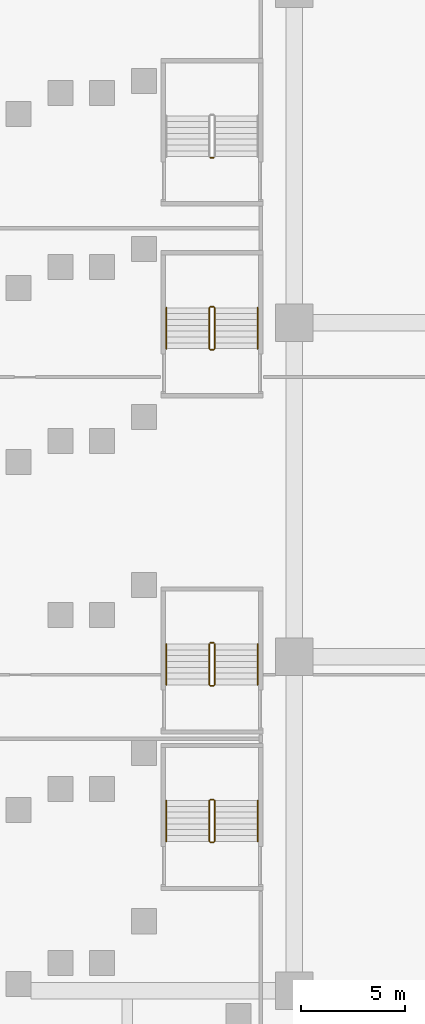
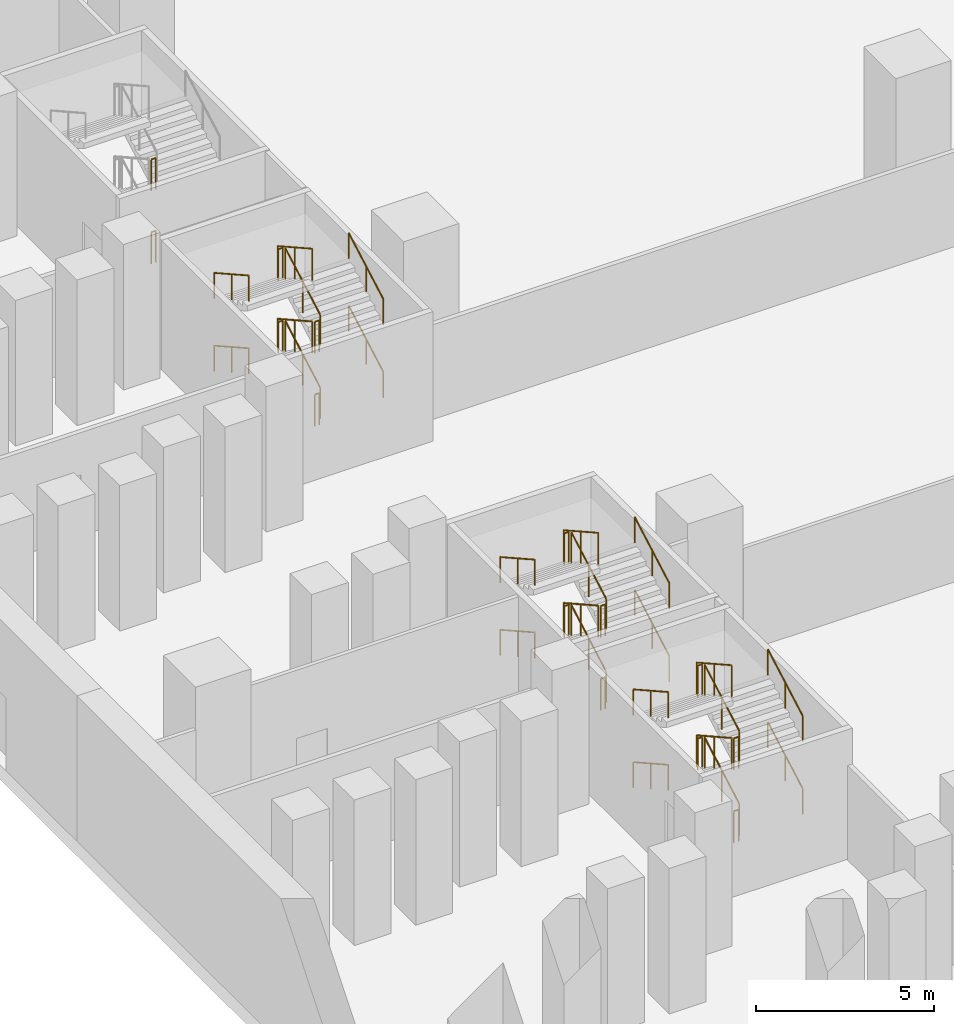
# One storey, part 18 of 24: 38 railings.
"""IFC4 building model written with IfcOpenShell, lengths in metres."""

from ifc_helpers import new_model, si_unit, direction, frame, origin, origin_2d, place, context, subcontext, project, spatial, circle, extrude, material, type_object, element, save


model = new_model("IFC4")

# Units and contexts
model_context = context("Model", 3, precision=1e-05, world=origin(), true_north=direction((0.0, 1.0)))
body_context = subcontext(model_context, "Body", "Model", "MODEL_VIEW")
ifc_project = project(units=[si_unit("LENGTHUNIT", "METRE"), si_unit("AREAUNIT", "SQUARE_METRE"), si_unit("VOLUMEUNIT", "CUBIC_METRE"), si_unit("PLANEANGLEUNIT", "RADIAN"), si_unit("MASSUNIT", "GRAM", prefix="KILO")], contexts=[model_context])

# Site, building, storey
site_placement = place(None, origin())
site = spatial("IfcSite", under=ifc_project, at=site_placement, CompositionType="ELEMENT")
building_placement = place(site_placement, origin())
building = spatial("IfcBuilding", under=site, at=building_placement, Name="Calabash Gate Tower", CompositionType="ELEMENT")
storey_placement = place(building_placement, frame((0.0, 0.0, -5.0)))
storey = spatial("IfcBuildingStorey", under=building, at=storey_placement, Name="B1", CompositionType="ELEMENT", Elevation=-5.0)

# Railings
ifc_material_1 = material(Name="Black powder-coated steel balusters", Category="steel")
railing_type_1 = type_object("IfcRailingType", Name="Stair guard RL1100", PredefinedType="GUARDRAIL", material=ifc_material_1)
railing_1_placement = place(storey_placement, frame((-35.81005859375, -32.840087890625, 0.15625)))
element("IfcRailing", 1, at=railing_1_placement, inside=storey, type_object=railing_type_1, Name="B1 PS1 stair guard 1", PredefinedType="GUARDRAIL", context=body_context, shape_type="SweptSolid", body=[
    extrude(circle(Radius=0.02392578125, at=origin_2d()), frame((0.0, 0.0, 1.076171875), z_axis=(0.0, 0.87250601595, 0.488603368932), x_axis=(-1.0, 0.0, 0.0)), (0.0, 0.0, 1.0), 2.238525390625),
    extrude(circle(Radius=0.02099609375, at=origin_2d()), origin(), (0.0, 0.0, 1.0), 1.052001953125),
    extrude(circle(Radius=0.02099609375, at=origin_2d()), frame((0.0, 0.9765625, 0.546875)), (0.0, 0.0, 1.0), 1.052001953125),
    extrude(circle(Radius=0.02099609375, at=origin_2d()), frame((0.0, 1.953125, 1.09375)), (0.0, 0.0, 1.0), 1.052001953125),
])
railing_2_placement = place(storey_placement, frame((-35.860107421875, -30.8369140625, 1.25)))
element("IfcRailing", 2, at=railing_2_placement, inside=storey, type_object=railing_type_1, Name="B1 PS1 stair guard 2", PredefinedType="GUARDRAIL", context=body_context, shape_type="SweptSolid", body=[
    extrude(circle(Radius=0.02392578125, at=origin_2d()), frame((0.0, 0.0, 1.076171875), z_axis=(-1.0, 0.0, 0.0), x_axis=(0.0, -1.0, 0.0)), (0.0, 0.0, 1.0), 0.14990234375),
    extrude(circle(Radius=0.02099609375, at=origin_2d()), origin(), (0.0, 0.0, 1.0), 1.052001953125),
    extrude(circle(Radius=0.02099609375, at=origin_2d()), frame((-0.14990234375, 0.0, 0.0)), (0.0, 0.0, 1.0), 1.052001953125),
])
railing_3_placement = place(storey_placement, frame((-36.06005859375, -30.886962890625, 1.40625)))
element("IfcRailing", 3, at=railing_3_placement, inside=storey, type_object=railing_type_1, Name="B1 PS1 stair guard 3", PredefinedType="GUARDRAIL", context=body_context, shape_type="SweptSolid", body=[
    extrude(circle(Radius=0.02392578125, at=origin_2d()), frame((0.0, 0.0, 1.076171875), z_axis=(0.0, -0.87250601595, 0.488603368932), x_axis=(1.0, 0.0, 0.0)), (0.0, 0.0, 1.0), 2.238525390625),
    extrude(circle(Radius=0.02099609375, at=origin_2d()), origin(), (0.0, 0.0, 1.0), 1.052001953125),
    extrude(circle(Radius=0.02099609375, at=origin_2d()), frame((0.0, -0.9765625, 0.546875)), (0.0, 0.0, 1.0), 1.052001953125),
    extrude(circle(Radius=0.02099609375, at=origin_2d()), frame((0.0, -1.953125, 1.09375)), (0.0, 0.0, 1.0), 1.052001953125),
])
railing_4_placement = place(storey_placement, frame((-35.860107421875, -32.889892578125, 2.5)))
element("IfcRailing", 4, at=railing_4_placement, inside=storey, type_object=railing_type_1, Name="B1 PS1 stair guard 4", PredefinedType="GUARDRAIL", context=body_context, shape_type="SweptSolid", body=[
    extrude(circle(Radius=0.02392578125, at=origin_2d()), frame((0.0, 0.0, 1.076171875), z_axis=(-1.0, 0.0, 0.0), x_axis=(0.0, -1.0, 0.0)), (0.0, 0.0, 1.0), 0.14990234375),
    extrude(circle(Radius=0.02099609375, at=origin_2d()), origin(), (0.0, 0.0, 1.0), 1.052001953125),
    extrude(circle(Radius=0.02099609375, at=origin_2d()), frame((-0.14990234375, 0.0, 0.0)), (0.0, 0.0, 1.0), 1.052001953125),
])
railing_5_placement = place(storey_placement, frame((-35.81005859375, -32.840087890625, 2.65625)))
element("IfcRailing", 5, at=railing_5_placement, inside=storey, type_object=railing_type_1, Name="B1 PS1 stair guard 5", PredefinedType="GUARDRAIL", context=body_context, shape_type="SweptSolid", body=[
    extrude(circle(Radius=0.02392578125, at=origin_2d()), frame((0.0, 0.0, 1.076171875), z_axis=(0.0, 0.87250601595, 0.488603368932), x_axis=(-1.0, 0.0, 0.0)), (0.0, 0.0, 1.0), 2.238525390625),
    extrude(circle(Radius=0.02099609375, at=origin_2d()), origin(), (0.0, 0.0, 1.0), 1.052001953125),
    extrude(circle(Radius=0.02099609375, at=origin_2d()), frame((0.0, 0.9765625, 0.546875)), (0.0, 0.0, 1.0), 1.052001953125),
    extrude(circle(Radius=0.02099609375, at=origin_2d()), frame((0.0, 1.953125, 1.09375)), (0.0, 0.0, 1.0), 1.052001953125),
])
railing_6_placement = place(storey_placement, frame((-35.860107421875, -30.8369140625, 3.75)))
element("IfcRailing", 6, at=railing_6_placement, inside=storey, type_object=railing_type_1, Name="B1 PS1 stair guard 6", PredefinedType="GUARDRAIL", context=body_context, shape_type="SweptSolid", body=[
    extrude(circle(Radius=0.02392578125, at=origin_2d()), frame((0.0, 0.0, 1.076171875), z_axis=(-1.0, 0.0, 0.0), x_axis=(0.0, -1.0, 0.0)), (0.0, 0.0, 1.0), 0.14990234375),
    extrude(circle(Radius=0.02099609375, at=origin_2d()), origin(), (0.0, 0.0, 1.0), 1.052001953125),
    extrude(circle(Radius=0.02099609375, at=origin_2d()), frame((-0.14990234375, 0.0, 0.0)), (0.0, 0.0, 1.0), 1.052001953125),
])
railing_7_placement = place(storey_placement, frame((-36.06005859375, -30.886962890625, 3.90625)))
element("IfcRailing", 7, at=railing_7_placement, inside=storey, type_object=railing_type_1, Name="B1 PS1 stair guard 7", PredefinedType="GUARDRAIL", context=body_context, shape_type="SweptSolid", body=[
    extrude(circle(Radius=0.02392578125, at=origin_2d()), frame((0.0, 0.0, 1.076171875), z_axis=(0.0, -0.87250601595, 0.488603368932), x_axis=(1.0, 0.0, 0.0)), (0.0, 0.0, 1.0), 2.238525390625),
    extrude(circle(Radius=0.02099609375, at=origin_2d()), origin(), (0.0, 0.0, 1.0), 1.052001953125),
    extrude(circle(Radius=0.02099609375, at=origin_2d()), frame((0.0, -0.9765625, 0.546875)), (0.0, 0.0, 1.0), 1.052001953125),
    extrude(circle(Radius=0.02099609375, at=origin_2d()), frame((0.0, -1.953125, 1.09375)), (0.0, 0.0, 1.0), 1.052001953125),
])
railing_8_placement = place(storey_placement, frame((-35.860107421875, -32.889892578125, 0.0)))
element("IfcRailing", 8, at=railing_8_placement, inside=storey, type_object=railing_type_1, Name="B1 PS1 stair guard 8", PredefinedType="GUARDRAIL", context=body_context, shape_type="SweptSolid", body=[
    extrude(circle(Radius=0.02392578125, at=origin_2d()), frame((0.0, 0.0, 1.076171875), z_axis=(-1.0, 0.0, 0.0), x_axis=(0.0, -1.0, 0.0)), (0.0, 0.0, 1.0), 0.14990234375),
    extrude(circle(Radius=0.02099609375, at=origin_2d()), origin(), (0.0, 0.0, 1.0), 1.052001953125),
    extrude(circle(Radius=0.02099609375, at=origin_2d()), frame((-0.14990234375, 0.0, 0.0)), (0.0, 0.0, 1.0), 1.052001953125),
])
railing_9_placement = place(storey_placement, frame((-35.81005859375, -25.340087890625, 0.15625)))
element("IfcRailing", 9, at=railing_9_placement, inside=storey, type_object=railing_type_1, Name="B1 PS2 stair guard 1", PredefinedType="GUARDRAIL", context=body_context, shape_type="SweptSolid", body=[
    extrude(circle(Radius=0.02392578125, at=origin_2d()), frame((0.0, 0.0, 1.076171875), z_axis=(0.0, 0.87250601595, 0.488603368932), x_axis=(-1.0, 0.0, 0.0)), (0.0, 0.0, 1.0), 2.238525390625),
    extrude(circle(Radius=0.02099609375, at=origin_2d()), origin(), (0.0, 0.0, 1.0), 1.052001953125),
    extrude(circle(Radius=0.02099609375, at=origin_2d()), frame((0.0, 0.9765625, 0.546875)), (0.0, 0.0, 1.0), 1.052001953125),
    extrude(circle(Radius=0.02099609375, at=origin_2d()), frame((0.0, 1.953125, 1.09375)), (0.0, 0.0, 1.0), 1.052001953125),
])
railing_10_placement = place(storey_placement, frame((-35.860107421875, -23.3369140625, 1.25)))
element("IfcRailing", 10, at=railing_10_placement, inside=storey, type_object=railing_type_1, Name="B1 PS2 stair guard 2", PredefinedType="GUARDRAIL", context=body_context, shape_type="SweptSolid", body=[
    extrude(circle(Radius=0.02392578125, at=origin_2d()), frame((0.0, 0.0, 1.076171875), z_axis=(-1.0, 0.0, 0.0), x_axis=(0.0, -1.0, 0.0)), (0.0, 0.0, 1.0), 0.14990234375),
    extrude(circle(Radius=0.02099609375, at=origin_2d()), origin(), (0.0, 0.0, 1.0), 1.052001953125),
    extrude(circle(Radius=0.02099609375, at=origin_2d()), frame((-0.14990234375, 0.0, 0.0)), (0.0, 0.0, 1.0), 1.052001953125),
])
railing_11_placement = place(storey_placement, frame((-36.06005859375, -23.386962890625, 1.40625)))
element("IfcRailing", 11, at=railing_11_placement, inside=storey, type_object=railing_type_1, Name="B1 PS2 stair guard 3", PredefinedType="GUARDRAIL", context=body_context, shape_type="SweptSolid", body=[
    extrude(circle(Radius=0.02392578125, at=origin_2d()), frame((0.0, 0.0, 1.076171875), z_axis=(0.0, -0.87250601595, 0.488603368932), x_axis=(1.0, 0.0, 0.0)), (0.0, 0.0, 1.0), 2.238525390625),
    extrude(circle(Radius=0.02099609375, at=origin_2d()), origin(), (0.0, 0.0, 1.0), 1.052001953125),
    extrude(circle(Radius=0.02099609375, at=origin_2d()), frame((0.0, -0.9765625, 0.546875)), (0.0, 0.0, 1.0), 1.052001953125),
    extrude(circle(Radius=0.02099609375, at=origin_2d()), frame((0.0, -1.953125, 1.09375)), (0.0, 0.0, 1.0), 1.052001953125),
])
railing_12_placement = place(storey_placement, frame((-35.860107421875, -25.389892578125, 2.5)))
element("IfcRailing", 12, at=railing_12_placement, inside=storey, type_object=railing_type_1, Name="B1 PS2 stair guard 4", PredefinedType="GUARDRAIL", context=body_context, shape_type="SweptSolid", body=[
    extrude(circle(Radius=0.02392578125, at=origin_2d()), frame((0.0, 0.0, 1.076171875), z_axis=(-1.0, 0.0, 0.0), x_axis=(0.0, -1.0, 0.0)), (0.0, 0.0, 1.0), 0.14990234375),
    extrude(circle(Radius=0.02099609375, at=origin_2d()), origin(), (0.0, 0.0, 1.0), 1.052001953125),
    extrude(circle(Radius=0.02099609375, at=origin_2d()), frame((-0.14990234375, 0.0, 0.0)), (0.0, 0.0, 1.0), 1.052001953125),
])
railing_13_placement = place(storey_placement, frame((-35.81005859375, -25.340087890625, 2.65625)))
element("IfcRailing", 13, at=railing_13_placement, inside=storey, type_object=railing_type_1, Name="B1 PS2 stair guard 5", PredefinedType="GUARDRAIL", context=body_context, shape_type="SweptSolid", body=[
    extrude(circle(Radius=0.02392578125, at=origin_2d()), frame((0.0, 0.0, 1.076171875), z_axis=(0.0, 0.87250601595, 0.488603368932), x_axis=(-1.0, 0.0, 0.0)), (0.0, 0.0, 1.0), 2.238525390625),
    extrude(circle(Radius=0.02099609375, at=origin_2d()), origin(), (0.0, 0.0, 1.0), 1.052001953125),
    extrude(circle(Radius=0.02099609375, at=origin_2d()), frame((0.0, 0.9765625, 0.546875)), (0.0, 0.0, 1.0), 1.052001953125),
    extrude(circle(Radius=0.02099609375, at=origin_2d()), frame((0.0, 1.953125, 1.09375)), (0.0, 0.0, 1.0), 1.052001953125),
])
railing_14_placement = place(storey_placement, frame((-35.860107421875, -23.3369140625, 3.75)))
element("IfcRailing", 14, at=railing_14_placement, inside=storey, type_object=railing_type_1, Name="B1 PS2 stair guard 6", PredefinedType="GUARDRAIL", context=body_context, shape_type="SweptSolid", body=[
    extrude(circle(Radius=0.02392578125, at=origin_2d()), frame((0.0, 0.0, 1.076171875), z_axis=(-1.0, 0.0, 0.0), x_axis=(0.0, -1.0, 0.0)), (0.0, 0.0, 1.0), 0.14990234375),
    extrude(circle(Radius=0.02099609375, at=origin_2d()), origin(), (0.0, 0.0, 1.0), 1.052001953125),
    extrude(circle(Radius=0.02099609375, at=origin_2d()), frame((-0.14990234375, 0.0, 0.0)), (0.0, 0.0, 1.0), 1.052001953125),
])
railing_15_placement = place(storey_placement, frame((-36.06005859375, -23.386962890625, 3.90625)))
element("IfcRailing", 15, at=railing_15_placement, inside=storey, type_object=railing_type_1, Name="B1 PS2 stair guard 7", PredefinedType="GUARDRAIL", context=body_context, shape_type="SweptSolid", body=[
    extrude(circle(Radius=0.02392578125, at=origin_2d()), frame((0.0, 0.0, 1.076171875), z_axis=(0.0, -0.87250601595, 0.488603368932), x_axis=(1.0, 0.0, 0.0)), (0.0, 0.0, 1.0), 2.238525390625),
    extrude(circle(Radius=0.02099609375, at=origin_2d()), origin(), (0.0, 0.0, 1.0), 1.052001953125),
    extrude(circle(Radius=0.02099609375, at=origin_2d()), frame((0.0, -0.9765625, 0.546875)), (0.0, 0.0, 1.0), 1.052001953125),
    extrude(circle(Radius=0.02099609375, at=origin_2d()), frame((0.0, -1.953125, 1.09375)), (0.0, 0.0, 1.0), 1.052001953125),
])
railing_16_placement = place(storey_placement, frame((-35.860107421875, -25.389892578125, 0.0)))
element("IfcRailing", 16, at=railing_16_placement, inside=storey, type_object=railing_type_1, Name="B1 PS2 stair guard 8", PredefinedType="GUARDRAIL", context=body_context, shape_type="SweptSolid", body=[
    extrude(circle(Radius=0.02392578125, at=origin_2d()), frame((0.0, 0.0, 1.076171875), z_axis=(-1.0, 0.0, 0.0), x_axis=(0.0, -1.0, 0.0)), (0.0, 0.0, 1.0), 0.14990234375),
    extrude(circle(Radius=0.02099609375, at=origin_2d()), origin(), (0.0, 0.0, 1.0), 1.052001953125),
    extrude(circle(Radius=0.02099609375, at=origin_2d()), frame((-0.14990234375, 0.0, 0.0)), (0.0, 0.0, 1.0), 1.052001953125),
])
railing_17_placement = place(storey_placement, frame((-35.81005859375, -9.239990234375, 0.15625)))
element("IfcRailing", 17, at=railing_17_placement, inside=storey, type_object=railing_type_1, Name="B1 PS3 stair guard 1", PredefinedType="GUARDRAIL", context=body_context, shape_type="SweptSolid", body=[
    extrude(circle(Radius=0.02392578125, at=origin_2d()), frame((0.0, 0.0, 1.076171875), z_axis=(0.0, 0.872479975208, 0.48864986735), x_axis=(-1.0, 0.0, 0.0)), (0.0, 0.0, 1.0), 2.23828125),
    extrude(circle(Radius=0.02099609375, at=origin_2d()), origin(), (0.0, 0.0, 1.0), 1.052001953125),
    extrude(circle(Radius=0.02099609375, at=origin_2d()), frame((0.0, 0.9765625, 0.546875)), (0.0, 0.0, 1.0), 1.052001953125),
    extrude(circle(Radius=0.02099609375, at=origin_2d()), frame((0.0, 1.952880859375, 1.09375)), (0.0, 0.0, 1.0), 1.052001953125),
])
railing_18_placement = place(storey_placement, frame((-35.860107421875, -7.237060546875, 1.25)))
element("IfcRailing", 18, at=railing_18_placement, inside=storey, type_object=railing_type_1, Name="B1 PS3 stair guard 2", PredefinedType="GUARDRAIL", context=body_context, shape_type="SweptSolid", body=[
    extrude(circle(Radius=0.02392578125, at=origin_2d()), frame((0.0, 0.0, 1.076171875), z_axis=(-1.0, 0.0, 0.0), x_axis=(0.0, -1.0, 0.0)), (0.0, 0.0, 1.0), 0.14990234375),
    extrude(circle(Radius=0.02099609375, at=origin_2d()), origin(), (0.0, 0.0, 1.0), 1.052001953125),
    extrude(circle(Radius=0.02099609375, at=origin_2d()), frame((-0.14990234375, 0.0, 0.0)), (0.0, 0.0, 1.0), 1.052001953125),
])
railing_19_placement = place(storey_placement, frame((-36.06005859375, -7.287109375, 1.40625)))
element("IfcRailing", 19, at=railing_19_placement, inside=storey, type_object=railing_type_1, Name="B1 PS3 stair guard 3", PredefinedType="GUARDRAIL", context=body_context, shape_type="SweptSolid", body=[
    extrude(circle(Radius=0.02392578125, at=origin_2d()), frame((0.0, 0.0, 1.076171875), z_axis=(0.0, -0.872479975208, 0.48864986735), x_axis=(1.0, 0.0, 0.0)), (0.0, 0.0, 1.0), 2.23828125),
    extrude(circle(Radius=0.02099609375, at=origin_2d()), origin(), (0.0, 0.0, 1.0), 1.052001953125),
    extrude(circle(Radius=0.02099609375, at=origin_2d()), frame((0.0, -0.9765625, 0.546875)), (0.0, 0.0, 1.0), 1.052001953125),
    extrude(circle(Radius=0.02099609375, at=origin_2d()), frame((0.0, -1.952880859375, 1.09375)), (0.0, 0.0, 1.0), 1.052001953125),
])
railing_20_placement = place(storey_placement, frame((-35.860107421875, -9.2900390625, 2.5)))
element("IfcRailing", 20, at=railing_20_placement, inside=storey, type_object=railing_type_1, Name="B1 PS3 stair guard 4", PredefinedType="GUARDRAIL", context=body_context, shape_type="SweptSolid", body=[
    extrude(circle(Radius=0.02392578125, at=origin_2d()), frame((0.0, 0.0, 1.076171875), z_axis=(-1.0, 0.0, 0.0), x_axis=(0.0, -1.0, 0.0)), (0.0, 0.0, 1.0), 0.14990234375),
    extrude(circle(Radius=0.02099609375, at=origin_2d()), origin(), (0.0, 0.0, 1.0), 1.052001953125),
    extrude(circle(Radius=0.02099609375, at=origin_2d()), frame((-0.14990234375, 0.0, 0.0)), (0.0, 0.0, 1.0), 1.052001953125),
])
railing_21_placement = place(storey_placement, frame((-35.81005859375, -9.239990234375, 2.65625)))
element("IfcRailing", 21, at=railing_21_placement, inside=storey, type_object=railing_type_1, Name="B1 PS3 stair guard 5", PredefinedType="GUARDRAIL", context=body_context, shape_type="SweptSolid", body=[
    extrude(circle(Radius=0.02392578125, at=origin_2d()), frame((0.0, 0.0, 1.076171875), z_axis=(0.0, 0.872479975208, 0.48864986735), x_axis=(-1.0, 0.0, 0.0)), (0.0, 0.0, 1.0), 2.23828125),
    extrude(circle(Radius=0.02099609375, at=origin_2d()), origin(), (0.0, 0.0, 1.0), 1.052001953125),
    extrude(circle(Radius=0.02099609375, at=origin_2d()), frame((0.0, 0.9765625, 0.546875)), (0.0, 0.0, 1.0), 1.052001953125),
    extrude(circle(Radius=0.02099609375, at=origin_2d()), frame((0.0, 1.952880859375, 1.09375)), (0.0, 0.0, 1.0), 1.052001953125),
])
railing_22_placement = place(storey_placement, frame((-35.860107421875, -7.237060546875, 3.75)))
element("IfcRailing", 22, at=railing_22_placement, inside=storey, type_object=railing_type_1, Name="B1 PS3 stair guard 6", PredefinedType="GUARDRAIL", context=body_context, shape_type="SweptSolid", body=[
    extrude(circle(Radius=0.02392578125, at=origin_2d()), frame((0.0, 0.0, 1.076171875), z_axis=(-1.0, 0.0, 0.0), x_axis=(0.0, -1.0, 0.0)), (0.0, 0.0, 1.0), 0.14990234375),
    extrude(circle(Radius=0.02099609375, at=origin_2d()), origin(), (0.0, 0.0, 1.0), 1.052001953125),
    extrude(circle(Radius=0.02099609375, at=origin_2d()), frame((-0.14990234375, 0.0, 0.0)), (0.0, 0.0, 1.0), 1.052001953125),
])
railing_23_placement = place(storey_placement, frame((-36.06005859375, -7.287109375, 3.90625)))
element("IfcRailing", 23, at=railing_23_placement, inside=storey, type_object=railing_type_1, Name="B1 PS3 stair guard 7", PredefinedType="GUARDRAIL", context=body_context, shape_type="SweptSolid", body=[
    extrude(circle(Radius=0.02392578125, at=origin_2d()), frame((0.0, 0.0, 1.076171875), z_axis=(0.0, -0.872479975208, 0.48864986735), x_axis=(1.0, 0.0, 0.0)), (0.0, 0.0, 1.0), 2.23828125),
    extrude(circle(Radius=0.02099609375, at=origin_2d()), origin(), (0.0, 0.0, 1.0), 1.052001953125),
    extrude(circle(Radius=0.02099609375, at=origin_2d()), frame((0.0, -0.9765625, 0.546875)), (0.0, 0.0, 1.0), 1.052001953125),
    extrude(circle(Radius=0.02099609375, at=origin_2d()), frame((0.0, -1.952880859375, 1.09375)), (0.0, 0.0, 1.0), 1.052001953125),
])
for number, where, name in (
    (24, (-35.860107421875, -9.2900390625, 0.0), "B1 PS3 stair guard 8"),
    (25, (-35.860107421875, -0.090087890625, 2.5), "B1 PS4 stair guard 4"),
    (26, (-35.860107421875, -0.090087890625, 0.0), "B1 PS4 stair guard 8"),
):
    element("IfcRailing", number, at=place(storey_placement, frame(where)), inside=storey, type_object=railing_type_1, Name=name, PredefinedType="GUARDRAIL", context=body_context, shape_type="SweptSolid", body=[
        extrude(circle(Radius=0.02392578125, at=origin_2d()), frame((0.0, 0.0, 1.076171875), z_axis=(-1.0, 0.0, 0.0), x_axis=(0.0, -1.0, 0.0)), (0.0, 0.0, 1.0), 0.14990234375),
        extrude(circle(Radius=0.02099609375, at=origin_2d()), origin(), (0.0, 0.0, 1.0), 1.052001953125),
        extrude(circle(Radius=0.02099609375, at=origin_2d()), frame((-0.14990234375, 0.0, 0.0)), (0.0, 0.0, 1.0), 1.052001953125),
    ])
ifc_material_2 = material(Name="Black powder-coated steel tube 48 mm", Category="steel")
railing_type_2 = type_object("IfcRailingType", Name="Stair handrail RL900", PredefinedType="HANDRAIL", material=ifc_material_2)
railing_24_placement = place(storey_placement, frame((-33.75, -32.840087890625, 0.15625)))
element("IfcRailing", 27, at=railing_24_placement, inside=storey, type_object=railing_type_2, Name="B1 PS1 stair handrail 1", PredefinedType="HANDRAIL", context=body_context, shape_type="SweptSolid", body=[
    extrude(circle(Radius=0.02392578125, at=origin_2d()), frame((0.0, 0.0, 0.8759765625), z_axis=(0.0, 0.87250601595, 0.488603368932), x_axis=(-1.0, 0.0, 0.0)), (0.0, 0.0, 1.0), 2.238525390625),
    extrude(circle(Radius=0.02099609375, at=origin_2d()), origin(), (0.0, 0.0, 1.0), 0.851806640625),
    extrude(circle(Radius=0.02099609375, at=origin_2d()), frame((0.0, 0.9765625, 0.546875)), (0.0, 0.0, 1.0), 0.851806640625),
    extrude(circle(Radius=0.02099609375, at=origin_2d()), frame((0.0, 1.953125, 1.09375)), (0.0, 0.0, 1.0), 0.851806640625),
])
railing_25_placement = place(storey_placement, frame((-38.1201171875, -30.886962890625, 1.40625)))
element("IfcRailing", 28, at=railing_25_placement, inside=storey, type_object=railing_type_2, Name="B1 PS1 stair handrail 2", PredefinedType="HANDRAIL", context=body_context, shape_type="SweptSolid", body=[
    extrude(circle(Radius=0.02392578125, at=origin_2d()), frame((0.0, 0.0, 0.8759765625), z_axis=(0.0, -0.87250601595, 0.488603368932), x_axis=(1.0, 0.0, 0.0)), (0.0, 0.0, 1.0), 2.238525390625),
    extrude(circle(Radius=0.02099609375, at=origin_2d()), origin(), (0.0, 0.0, 1.0), 0.851806640625),
    extrude(circle(Radius=0.02099609375, at=origin_2d()), frame((0.0, -0.9765625, 0.546875)), (0.0, 0.0, 1.0), 0.851806640625),
    extrude(circle(Radius=0.02099609375, at=origin_2d()), frame((0.0, -1.953125, 1.09375)), (0.0, 0.0, 1.0), 0.851806640625),
])
railing_26_placement = place(storey_placement, frame((-33.75, -32.840087890625, 2.65625)))
element("IfcRailing", 29, at=railing_26_placement, inside=storey, type_object=railing_type_2, Name="B1 PS1 stair handrail 3", PredefinedType="HANDRAIL", context=body_context, shape_type="SweptSolid", body=[
    extrude(circle(Radius=0.02392578125, at=origin_2d()), frame((0.0, 0.0, 0.8759765625), z_axis=(0.0, 0.87250601595, 0.488603368932), x_axis=(-1.0, 0.0, 0.0)), (0.0, 0.0, 1.0), 2.238525390625),
    extrude(circle(Radius=0.02099609375, at=origin_2d()), origin(), (0.0, 0.0, 1.0), 0.851806640625),
    extrude(circle(Radius=0.02099609375, at=origin_2d()), frame((0.0, 0.9765625, 0.546875)), (0.0, 0.0, 1.0), 0.851806640625),
    extrude(circle(Radius=0.02099609375, at=origin_2d()), frame((0.0, 1.953125, 1.09375)), (0.0, 0.0, 1.0), 0.851806640625),
])
railing_27_placement = place(storey_placement, frame((-38.1201171875, -30.886962890625, 3.90625)))
element("IfcRailing", 30, at=railing_27_placement, inside=storey, type_object=railing_type_2, Name="B1 PS1 stair handrail 4", PredefinedType="HANDRAIL", context=body_context, shape_type="SweptSolid", body=[
    extrude(circle(Radius=0.02392578125, at=origin_2d()), frame((0.0, 0.0, 0.8759765625), z_axis=(0.0, -0.87250601595, 0.488603368932), x_axis=(1.0, 0.0, 0.0)), (0.0, 0.0, 1.0), 2.238525390625),
    extrude(circle(Radius=0.02099609375, at=origin_2d()), origin(), (0.0, 0.0, 1.0), 0.851806640625),
    extrude(circle(Radius=0.02099609375, at=origin_2d()), frame((0.0, -0.9765625, 0.546875)), (0.0, 0.0, 1.0), 0.851806640625),
    extrude(circle(Radius=0.02099609375, at=origin_2d()), frame((0.0, -1.953125, 1.09375)), (0.0, 0.0, 1.0), 0.851806640625),
])
railing_28_placement = place(storey_placement, frame((-33.75, -25.340087890625, 0.15625)))
element("IfcRailing", 31, at=railing_28_placement, inside=storey, type_object=railing_type_2, Name="B1 PS2 stair handrail 1", PredefinedType="HANDRAIL", context=body_context, shape_type="SweptSolid", body=[
    extrude(circle(Radius=0.02392578125, at=origin_2d()), frame((0.0, 0.0, 0.8759765625), z_axis=(0.0, 0.87250601595, 0.488603368932), x_axis=(-1.0, 0.0, 0.0)), (0.0, 0.0, 1.0), 2.238525390625),
    extrude(circle(Radius=0.02099609375, at=origin_2d()), origin(), (0.0, 0.0, 1.0), 0.851806640625),
    extrude(circle(Radius=0.02099609375, at=origin_2d()), frame((0.0, 0.9765625, 0.546875)), (0.0, 0.0, 1.0), 0.851806640625),
    extrude(circle(Radius=0.02099609375, at=origin_2d()), frame((0.0, 1.953125, 1.09375)), (0.0, 0.0, 1.0), 0.851806640625),
])
railing_29_placement = place(storey_placement, frame((-38.1201171875, -23.386962890625, 1.40625)))
element("IfcRailing", 32, at=railing_29_placement, inside=storey, type_object=railing_type_2, Name="B1 PS2 stair handrail 2", PredefinedType="HANDRAIL", context=body_context, shape_type="SweptSolid", body=[
    extrude(circle(Radius=0.02392578125, at=origin_2d()), frame((0.0, 0.0, 0.8759765625), z_axis=(0.0, -0.87250601595, 0.488603368932), x_axis=(1.0, 0.0, 0.0)), (0.0, 0.0, 1.0), 2.238525390625),
    extrude(circle(Radius=0.02099609375, at=origin_2d()), origin(), (0.0, 0.0, 1.0), 0.851806640625),
    extrude(circle(Radius=0.02099609375, at=origin_2d()), frame((0.0, -0.9765625, 0.546875)), (0.0, 0.0, 1.0), 0.851806640625),
    extrude(circle(Radius=0.02099609375, at=origin_2d()), frame((0.0, -1.953125, 1.09375)), (0.0, 0.0, 1.0), 0.851806640625),
])
railing_30_placement = place(storey_placement, frame((-33.75, -25.340087890625, 2.65625)))
element("IfcRailing", 33, at=railing_30_placement, inside=storey, type_object=railing_type_2, Name="B1 PS2 stair handrail 3", PredefinedType="HANDRAIL", context=body_context, shape_type="SweptSolid", body=[
    extrude(circle(Radius=0.02392578125, at=origin_2d()), frame((0.0, 0.0, 0.8759765625), z_axis=(0.0, 0.87250601595, 0.488603368932), x_axis=(-1.0, 0.0, 0.0)), (0.0, 0.0, 1.0), 2.238525390625),
    extrude(circle(Radius=0.02099609375, at=origin_2d()), origin(), (0.0, 0.0, 1.0), 0.851806640625),
    extrude(circle(Radius=0.02099609375, at=origin_2d()), frame((0.0, 0.9765625, 0.546875)), (0.0, 0.0, 1.0), 0.851806640625),
    extrude(circle(Radius=0.02099609375, at=origin_2d()), frame((0.0, 1.953125, 1.09375)), (0.0, 0.0, 1.0), 0.851806640625),
])
railing_31_placement = place(storey_placement, frame((-38.1201171875, -23.386962890625, 3.90625)))
element("IfcRailing", 34, at=railing_31_placement, inside=storey, type_object=railing_type_2, Name="B1 PS2 stair handrail 4", PredefinedType="HANDRAIL", context=body_context, shape_type="SweptSolid", body=[
    extrude(circle(Radius=0.02392578125, at=origin_2d()), frame((0.0, 0.0, 0.8759765625), z_axis=(0.0, -0.87250601595, 0.488603368932), x_axis=(1.0, 0.0, 0.0)), (0.0, 0.0, 1.0), 2.238525390625),
    extrude(circle(Radius=0.02099609375, at=origin_2d()), origin(), (0.0, 0.0, 1.0), 0.851806640625),
    extrude(circle(Radius=0.02099609375, at=origin_2d()), frame((0.0, -0.9765625, 0.546875)), (0.0, 0.0, 1.0), 0.851806640625),
    extrude(circle(Radius=0.02099609375, at=origin_2d()), frame((0.0, -1.953125, 1.09375)), (0.0, 0.0, 1.0), 0.851806640625),
])
railing_32_placement = place(storey_placement, frame((-33.75, -9.239990234375, 0.15625)))
element("IfcRailing", 35, at=railing_32_placement, inside=storey, type_object=railing_type_2, Name="B1 PS3 stair handrail 1", PredefinedType="HANDRAIL", context=body_context, shape_type="SweptSolid", body=[
    extrude(circle(Radius=0.02392578125, at=origin_2d()), frame((0.0, 0.0, 0.8759765625), z_axis=(0.0, 0.872479975208, 0.48864986735), x_axis=(-1.0, 0.0, 0.0)), (0.0, 0.0, 1.0), 2.23828125),
    extrude(circle(Radius=0.02099609375, at=origin_2d()), origin(), (0.0, 0.0, 1.0), 0.851806640625),
    extrude(circle(Radius=0.02099609375, at=origin_2d()), frame((0.0, 0.9765625, 0.546875)), (0.0, 0.0, 1.0), 0.851806640625),
    extrude(circle(Radius=0.02099609375, at=origin_2d()), frame((0.0, 1.952880859375, 1.09375)), (0.0, 0.0, 1.0), 0.851806640625),
])
railing_33_placement = place(storey_placement, frame((-38.1201171875, -7.287109375, 1.40625)))
element("IfcRailing", 36, at=railing_33_placement, inside=storey, type_object=railing_type_2, Name="B1 PS3 stair handrail 2", PredefinedType="HANDRAIL", context=body_context, shape_type="SweptSolid", body=[
    extrude(circle(Radius=0.02392578125, at=origin_2d()), frame((0.0, 0.0, 0.8759765625), z_axis=(0.0, -0.872479975208, 0.48864986735), x_axis=(1.0, 0.0, 0.0)), (0.0, 0.0, 1.0), 2.23828125),
    extrude(circle(Radius=0.02099609375, at=origin_2d()), origin(), (0.0, 0.0, 1.0), 0.851806640625),
    extrude(circle(Radius=0.02099609375, at=origin_2d()), frame((0.0, -0.9765625, 0.546875)), (0.0, 0.0, 1.0), 0.851806640625),
    extrude(circle(Radius=0.02099609375, at=origin_2d()), frame((0.0, -1.952880859375, 1.09375)), (0.0, 0.0, 1.0), 0.851806640625),
])
railing_34_placement = place(storey_placement, frame((-33.75, -9.239990234375, 2.65625)))
element("IfcRailing", 37, at=railing_34_placement, inside=storey, type_object=railing_type_2, Name="B1 PS3 stair handrail 3", PredefinedType="HANDRAIL", context=body_context, shape_type="SweptSolid", body=[
    extrude(circle(Radius=0.02392578125, at=origin_2d()), frame((0.0, 0.0, 0.8759765625), z_axis=(0.0, 0.872479975208, 0.48864986735), x_axis=(-1.0, 0.0, 0.0)), (0.0, 0.0, 1.0), 2.23828125),
    extrude(circle(Radius=0.02099609375, at=origin_2d()), origin(), (0.0, 0.0, 1.0), 0.851806640625),
    extrude(circle(Radius=0.02099609375, at=origin_2d()), frame((0.0, 0.9765625, 0.546875)), (0.0, 0.0, 1.0), 0.851806640625),
    extrude(circle(Radius=0.02099609375, at=origin_2d()), frame((0.0, 1.952880859375, 1.09375)), (0.0, 0.0, 1.0), 0.851806640625),
])
railing_35_placement = place(storey_placement, frame((-38.1201171875, -7.287109375, 3.90625)))
element("IfcRailing", 38, at=railing_35_placement, inside=storey, type_object=railing_type_2, Name="B1 PS3 stair handrail 4", PredefinedType="HANDRAIL", context=body_context, shape_type="SweptSolid", body=[
    extrude(circle(Radius=0.02392578125, at=origin_2d()), frame((0.0, 0.0, 0.8759765625), z_axis=(0.0, -0.872479975208, 0.48864986735), x_axis=(1.0, 0.0, 0.0)), (0.0, 0.0, 1.0), 2.23828125),
    extrude(circle(Radius=0.02099609375, at=origin_2d()), origin(), (0.0, 0.0, 1.0), 0.851806640625),
    extrude(circle(Radius=0.02099609375, at=origin_2d()), frame((0.0, -0.9765625, 0.546875)), (0.0, 0.0, 1.0), 0.851806640625),
    extrude(circle(Radius=0.02099609375, at=origin_2d()), frame((0.0, -1.952880859375, 1.09375)), (0.0, 0.0, 1.0), 0.851806640625),
])

save(model, "model.ifc")
